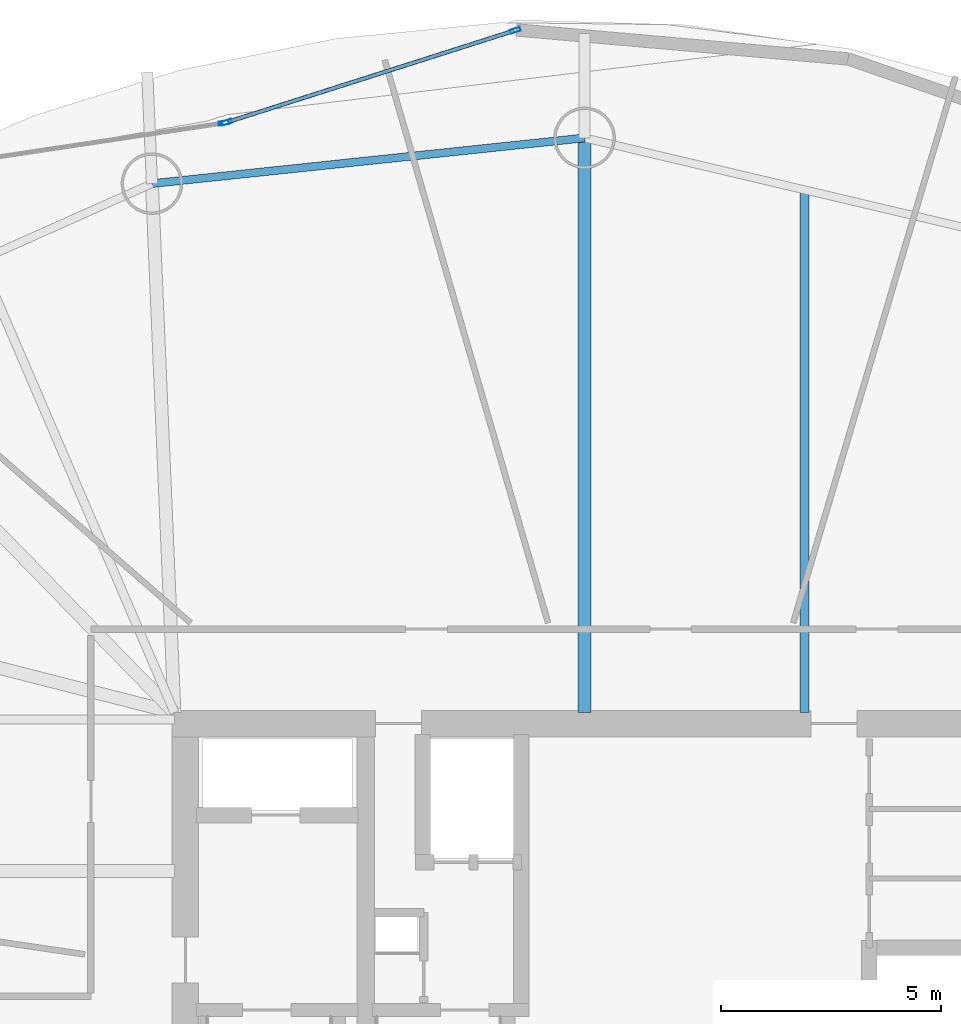
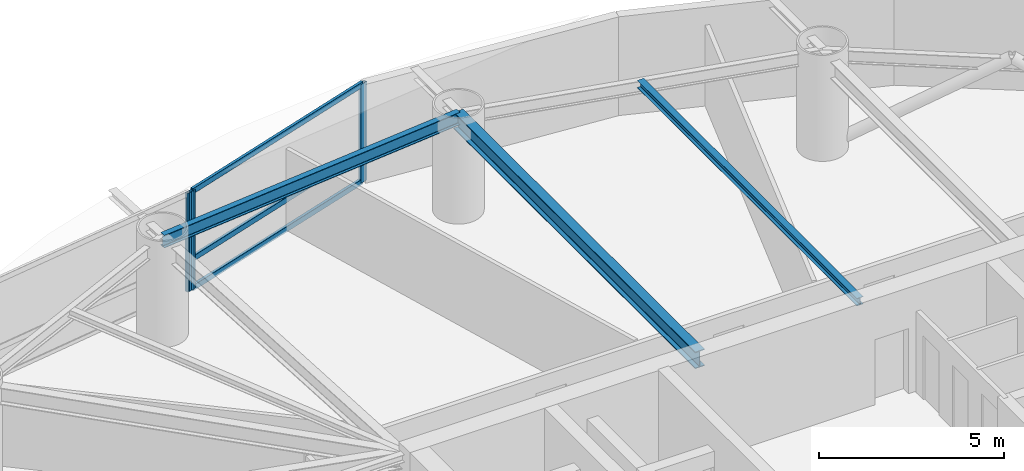
# One storey, part 13 of 22: 6 members, 3 beams, 2 elements without a shape of their own.
"""IFC4 building model written with IfcOpenShell, lengths in metres."""

from ifc_helpers import new_model, si_unit, direction, frame, origin, origin_2d, place, context, subcontext, project, spatial, hollow_rectangle, i_section, extrude, material, layer, layer_set, material_profile, profile_set, type_object, element, aggregate, save


model = new_model("IFC4")

# Units and contexts
model_context = context("Model", 3, precision=1e-05, world=origin(), true_north=direction((0.0, 1.0)))
body_context = subcontext(model_context, "Body", "Model", "MODEL_VIEW")
ifc_project = project(units=[si_unit("LENGTHUNIT", "METRE"), si_unit("AREAUNIT", "SQUARE_METRE"), si_unit("VOLUMEUNIT", "CUBIC_METRE"), si_unit("PLANEANGLEUNIT", "RADIAN"), si_unit("MASSUNIT", "GRAM", prefix="KILO")], contexts=[model_context])

# Site, building, storey
site_placement = place(None, origin())
site = spatial("IfcSite", under=ifc_project, at=site_placement, CompositionType="ELEMENT")
building_placement = place(site_placement, origin())
building = spatial("IfcBuilding", under=site, at=building_placement, Name="Bramvorn Convention Spire", CompositionType="ELEMENT")
storey_placement = place(building_placement, frame((0.0, 0.0, 137.800048828125)))
storey = spatial("IfcBuildingStorey", under=building, at=storey_placement, Name="L34", CompositionType="ELEMENT", Elevation=137.800048828125)

# Beams
ifc_material_1 = material(Name="Steel CSA G40.21 Grade 350 (350W)", Category="steel")
ifc_material_profile_1 = material_profile(ifc_material_1, i_section(OverallWidth=0.201904296875, OverallDepth=0.2470703125, WebThickness=0.00732421875, FlangeThickness=0.010986328125, FilletRadius=0.011962890625, at=origin_2d()))
ifc_profile_set_1 = profile_set([ifc_material_profile_1], Name="Steel CSA G40.21 Grade 350 (350W) - W250X49")
beam_type_1 = type_object("IfcBeamType", Name="BM-W250X49", PredefinedType="JOIST", material=ifc_profile_set_1)
beam_1_placement = place(storey_placement, frame((41.079345703125, 33.449951171875, 3.136474609375), z_axis=(0.0, 1.0, 0.0), x_axis=(-1.0, 0.0, 0.0)))
element("IfcBeam", 1, at=beam_1_placement, inside=storey, type_object=beam_type_1, Name="L34 composite floor joist 05", PredefinedType="JOIST", context=body_context, shape_type="SweptSolid", body=[
    extrude(i_section(OverallWidth=0.201904296875, OverallDepth=0.2470703125, WebThickness=0.00732421875, FlangeThickness=0.010986328125, FilletRadius=0.011962890625, at=origin_2d()), origin(), (0.0, 0.0, 1.0), 11.8857421875),
])
ifc_material_profile_2 = material_profile(ifc_material_1, i_section(OverallWidth=0.180908203125, OverallDepth=0.4169921875, WebThickness=0.010986328125, FlangeThickness=0.018310546875, FilletRadius=0.01611328125, at=origin_2d()))
ifc_profile_set_2 = profile_set([ifc_material_profile_2], Name="Steel CSA G40.21 Grade 350 (350W) - W410X85")
beam_type_2 = type_object("IfcBeamType", Name="BM-W410X85", PredefinedType="JOIST", material=ifc_profile_set_2)
beam_2_placement = place(storey_placement, frame((36.075927734375, 46.517333984375, 3.051513671875), z_axis=(-0.994473491975, -0.104987969596, 0.0), x_axis=(0.104987969596, -0.994473491975, 0.0)))
element("IfcBeam", 2, at=beam_2_placement, inside=storey, type_object=beam_type_2, Name="L34 mega-column ring beam 06", PredefinedType="JOIST", context=body_context, shape_type="SweptSolid", body=[
    extrude(i_section(OverallWidth=0.180908203125, OverallDepth=0.4169921875, WebThickness=0.010986328125, FlangeThickness=0.018310546875, FilletRadius=0.01611328125, at=origin_2d()), origin(), (0.0, 0.0, 1.0), 9.892333984375),
])
ifc_material_profile_3 = material_profile(ifc_material_1, i_section(OverallWidth=0.2919921875, OverallDepth=0.551025390625, WebThickness=0.01513671875, FlangeThickness=0.0244140625, FilletRadius=0.01904296875, at=origin_2d()))
ifc_profile_set_3 = profile_set([ifc_material_profile_3], Name="Steel CSA G40.21 Grade 350 (350W) - W530X182")
beam_type_3 = type_object("IfcBeamType", Name="BM-W530X182", PredefinedType="BEAM", material=ifc_profile_set_3)
beam_3_placement = place(storey_placement, frame((36.075927734375, 33.449951171875, 2.984375), z_axis=(0.0, 1.0, 0.0), x_axis=(-1.0, 0.0, 0.0)))
element("IfcBeam", 3, at=beam_3_placement, inside=storey, type_object=beam_type_3, Name="L34 radial floor girder MC06", PredefinedType="BEAM", context=body_context, shape_type="SweptSolid", body=[
    extrude(i_section(OverallWidth=0.2919921875, OverallDepth=0.551025390625, WebThickness=0.01513671875, FlangeThickness=0.0244140625, FilletRadius=0.01904296875, at=origin_2d()), origin(), (0.0, 0.0, 1.0), 13.0673828125),
])

# Curtain wall, members
ifc_material_2 = material(Name="Anodised Bronze Unitised Curtain Wall", Category="aluminium")
ifc_layer = layer(ifc_material_2, 0.219970703125)
ifc_layer_set = layer_set([ifc_layer], Name="Anodised Bronze Unitised Curtain Wall - CW-SKYGARDEN")
curtain_wall_type = type_object("IfcCurtainWallType", Name="CW-SKYGARDEN", PredefinedType="USERDEFINED", material=ifc_layer_set)
curtain_wall_1_placement = place(storey_placement, origin())
curtain_wall_1 = element("IfcCurtainWall", 4, at=curtain_wall_1_placement, inside=storey, type_object=curtain_wall_type, Name="L34 Sky Garden glazed facade 09", ObjectType="WINTER GARDEN GLAZING", PredefinedType="USERDEFINED")
ifc_material_3 = material(Name="Anodised Bronze Aluminium 6063-T6", Category="aluminium")
ifc_material_profile_4 = material_profile(ifc_material_3, hollow_rectangle(XDim=0.090087890625, YDim=0.239990234375, WallThickness=0.00439453125, InnerFilletRadius=0.0009765625, OuterFilletRadius=0.00439453125, at=origin_2d()))
ifc_profile_set_4 = profile_set([ifc_material_profile_4], Name="Anodised Bronze Aluminium 6063-T6 - CWM90X240")
member_type_1 = type_object("IfcMemberType", Name="CW-MUL-220", PredefinedType="MULLION", material=ifc_profile_set_4)
member_1_placement = place(storey_placement, frame((27.935546875, 46.871337890625, 0.0), z_axis=(0.0, 0.0, 1.0), x_axis=(-0.303573061278, 0.952808163518, 0.0)))
member_1 = element("IfcMember", 5, at=member_1_placement, type_object=member_type_1, Name="CW4 mullion 1", PredefinedType="MULLION", context=body_context, shape_type="SweptSolid", body=[
    extrude(hollow_rectangle(XDim=0.090087890625, YDim=0.239990234375, WallThickness=0.00439453125, InnerFilletRadius=0.0009765625, OuterFilletRadius=0.00439453125, at=origin_2d()), origin(), (0.0, 0.0, 1.0), 3.260009765625),
])
member_2_placement = place(storey_placement, frame((34.5, 48.962890625, 0.0), z_axis=(0.0, 0.0, 1.0), x_axis=(-0.303573061278, 0.952808163518, 0.0)))
member_2 = element("IfcMember", 6, at=member_2_placement, type_object=member_type_1, Name="CW4 mullion 2", PredefinedType="MULLION", context=body_context, shape_type="SweptSolid", body=[
    extrude(hollow_rectangle(XDim=0.090087890625, YDim=0.239990234375, WallThickness=0.00439453125, InnerFilletRadius=0.0009765625, OuterFilletRadius=0.00439453125, at=origin_2d()), origin(), (0.0, 0.0, 1.0), 3.260009765625),
])

# Curtain wall, member
curtain_wall_2_placement = place(storey_placement, origin())
curtain_wall_2 = element("IfcCurtainWall", 7, at=curtain_wall_2_placement, inside=storey, type_object=curtain_wall_type, Name="L34 Sky Garden glazed facade 10", ObjectType="WINTER GARDEN GLAZING", PredefinedType="USERDEFINED")
member_3_placement = place(storey_placement, frame((27.877197265625, 46.857666015625, 0.0), z_axis=(0.0, 0.0, 1.0), x_axis=(-0.148639735126, 0.988891414232, 0.0)))
member_3 = element("IfcMember", 8, at=member_3_placement, type_object=member_type_1, Name="CW4 mullion 2", PredefinedType="MULLION", context=body_context, shape_type="SweptSolid", body=[
    extrude(hollow_rectangle(XDim=0.090087890625, YDim=0.239990234375, WallThickness=0.00439453125, InnerFilletRadius=0.0009765625, OuterFilletRadius=0.00439453125, at=origin_2d()), origin(), (0.0, 0.0, 1.0), 3.260009765625),
])
aggregate(curtain_wall_2, [member_3])

# Member
ifc_material_profile_5 = material_profile(ifc_material_3, hollow_rectangle(XDim=0.090087890625, YDim=0.179931640625, WallThickness=0.00439453125, InnerFilletRadius=0.0009765625, OuterFilletRadius=0.00439453125, at=origin_2d()))
ifc_profile_set_5 = profile_set([ifc_material_profile_5], Name="Anodised Bronze Aluminium 6063-T6 - CWT90X180")
member_type_2 = type_object("IfcMemberType", Name="CW-TRN-180", PredefinedType="USERDEFINED", material=ifc_profile_set_5)
member_4_placement = place(storey_placement, frame((27.964111328125, 46.88037109375, 0.030029296875), z_axis=(0.952810219403, 0.303566608508, 0.0), x_axis=(-0.303566608508, 0.952810219403, 0.0)))
member_4 = element("IfcMember", 9, at=member_4_placement, type_object=member_type_2, Name="CW4 transom 1.1", ObjectType="TRANSOM", PredefinedType="USERDEFINED", context=body_context, shape_type="SweptSolid", body=[
    extrude(hollow_rectangle(XDim=0.090087890625, YDim=0.179931640625, WallThickness=0.00439453125, InnerFilletRadius=0.0009765625, OuterFilletRadius=0.00439453125, at=origin_2d()), origin(), (0.0, 0.0, 1.0), 6.82958984375),
])

member_5_placement = place(storey_placement, frame((27.964111328125, 46.88037109375, 1.0), z_axis=(0.952810219403, 0.303566608508, 0.0), x_axis=(-0.303566608508, 0.952810219403, 0.0)))
member_5 = element("IfcMember", 10, at=member_5_placement, type_object=member_type_2, Name="CW4 transom 1.2", ObjectType="TRANSOM", PredefinedType="USERDEFINED", context=body_context, shape_type="SweptSolid", body=[
    extrude(hollow_rectangle(XDim=0.090087890625, YDim=0.179931640625, WallThickness=0.00439453125, InnerFilletRadius=0.0009765625, OuterFilletRadius=0.00439453125, at=origin_2d()), origin(), (0.0, 0.0, 1.0), 6.82958984375),
])

member_6_placement = place(storey_placement, frame((27.964111328125, 46.88037109375, 3.22998046875), z_axis=(0.952810219403, 0.303566608508, 0.0), x_axis=(-0.303566608508, 0.952810219403, 0.0)))
member_6 = element("IfcMember", 11, at=member_6_placement, type_object=member_type_2, Name="CW4 transom 1.3", ObjectType="TRANSOM", PredefinedType="USERDEFINED", context=body_context, shape_type="SweptSolid", body=[
    extrude(hollow_rectangle(XDim=0.090087890625, YDim=0.179931640625, WallThickness=0.00439453125, InnerFilletRadius=0.0009765625, OuterFilletRadius=0.00439453125, at=origin_2d()), origin(), (0.0, 0.0, 1.0), 6.82958984375),
])

aggregate(curtain_wall_1, [member_1, member_2, member_4, member_5, member_6])

save(model, "model.ifc")
